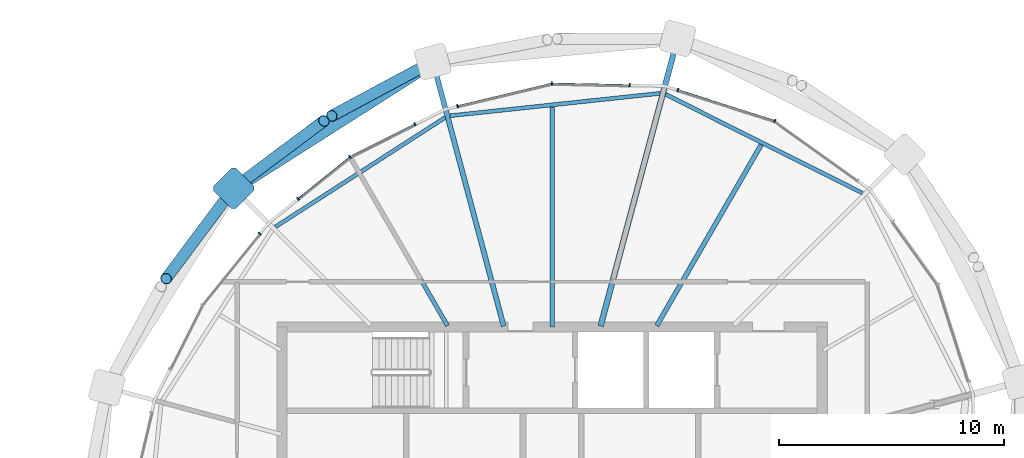
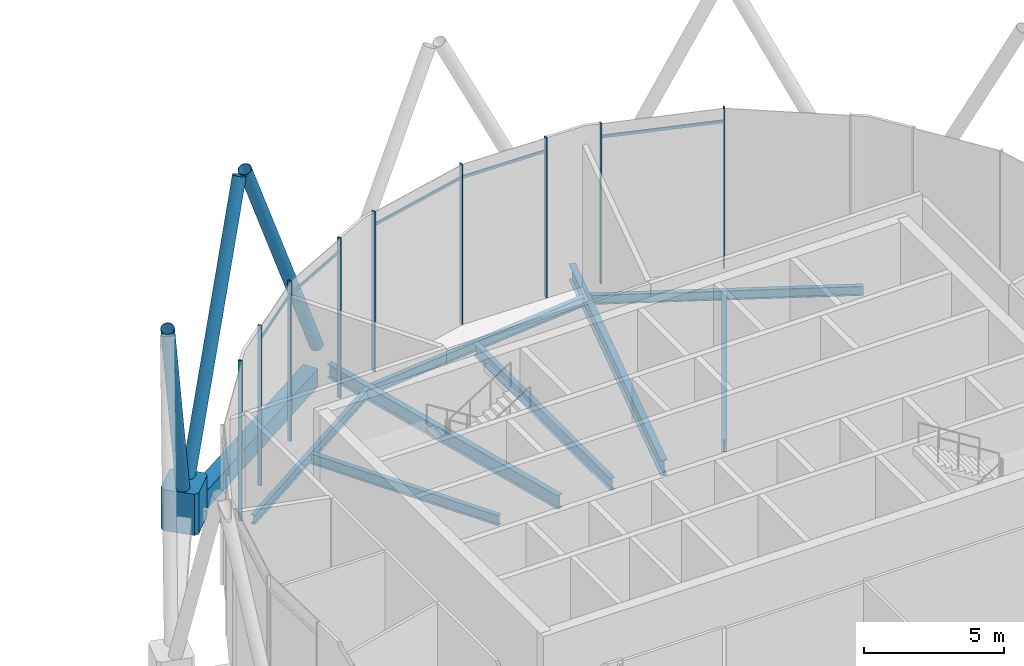
# One storey, part 14 of 28: 18 members, 9 beams, 1 element without a shape of its own.
"""IFC4 building model written with IfcOpenShell, lengths in metres."""

import ifcopenshell
import ifcopenshell.guid

model = None  # the IFC model being written
_history = None  # IfcOwnerHistory: only IFC2X3 demands one
_inside = {}  # id of a spatial element -> (the spatial element, [elements in it])
_under = {}  # id of a project, library or spatial element -> (it, [spatial elements below it])
_declared = {}  # id of a project -> (the project, [libraries it declares])
_typed = {}  # id of a type object -> (the type object, [elements of that type])
_made_of = {}  # id of a material, layer set ... -> (it, [elements and type objects made of it])


def new_model(schema):
    """Start an empty IFC model of exactly this schema.

    Asked for "IFC4X3", IfcOpenShell would pick the latest addendum, in which some entities
    have other attributes; the version numbers below select the first issue.
    IFC2X3 requires an IfcOwnerHistory on every rooted entity: one is made here for all.
    """
    global model, _history
    if schema == "IFC4X3":
        model = ifcopenshell.file(schema_version=(4, 3, 0, 0))
    else:
        model = ifcopenshell.file(schema=schema)
    _inside.clear()
    _under.clear()
    _declared.clear()
    _typed.clear()
    _made_of.clear()
    _history = None
    if model.schema == "IFC2X3":
        org = make("IfcOrganization", Name="unknown")
        user = make(
            "IfcPersonAndOrganization",
            ThePerson=make("IfcPerson", FamilyName="unknown"),
            TheOrganization=org,
        )
        app = make(
            "IfcApplication",
            ApplicationDeveloper=org,
            Version="unknown",
            ApplicationFullName="unknown",
            ApplicationIdentifier="unknown",
        )
        _history = make(
            "IfcOwnerHistory",
            OwningUser=user,
            OwningApplication=app,
            ChangeAction="ADDED",
            CreationDate=0,
        )
    return model


def make(cls, **values):
    """One entity of the class cls with the attributes given. An attribute that is None is left unset."""
    return model.create_entity(
        cls, **{name: value for name, value in values.items() if value is not None}
    )


def rooted(cls, **values):
    """An entity with a GlobalId (a new one), such as an element, a storey or a relation."""
    return make(cls, GlobalId=ifcopenshell.guid.new(), OwnerHistory=_history, **values)


def si_unit(unit_type, name, prefix=None):
    """IfcSIUnit, for example si_unit("LENGTHUNIT", "METRE", prefix="MILLI")."""
    return make("IfcSIUnit", UnitType=unit_type, Prefix=prefix, Name=name)


def assignment(units):
    """IfcUnitAssignment: the units of a project."""
    return None if units is None else make("IfcUnitAssignment", Units=units)


def point(xyz):
    """IfcCartesianPoint."""
    return None if xyz is None else make("IfcCartesianPoint", Coordinates=xyz)


def direction(xyz):
    """IfcDirection."""
    return None if xyz is None else make("IfcDirection", DirectionRatios=xyz)


def frame(location, z_axis=None, x_axis=None):
    """IfcAxis2Placement3D, a coordinate frame: its origin and axes. An axis left out is left unset."""
    return make(
        "IfcAxis2Placement3D",
        Location=point(location),
        Axis=direction(z_axis),
        RefDirection=direction(x_axis),
    )


def frame_2d(location, x_axis=None):
    """IfcAxis2Placement2D, a coordinate frame in the plane: its origin and x axis."""
    return make(
        "IfcAxis2Placement2D", Location=point(location), RefDirection=direction(x_axis)
    )


def origin():
    """The frame at (0, 0, 0) with its axes left unset."""
    return frame((0.0, 0.0, 0.0))


def origin_2d():
    """The frame at (0, 0) in the plane with its x axis left unset."""
    return frame_2d((0.0, 0.0))


def place(relative_to, where):
    """IfcLocalPlacement: puts the frame where relative to a parent placement (None: the world)."""
    return make(
        "IfcLocalPlacement", PlacementRelTo=relative_to, RelativePlacement=where
    )


def context(
    kind, dimensions, precision=None, world=None, true_north=None, identifier=None
):
    """IfcGeometricRepresentationContext, for example the 3D "Model" context."""
    return make(
        "IfcGeometricRepresentationContext",
        ContextIdentifier=identifier,
        ContextType=kind,
        CoordinateSpaceDimension=dimensions,
        Precision=precision,
        WorldCoordinateSystem=world,
        TrueNorth=true_north,
    )


def subcontext(parent, identifier, kind, view, scale=None):
    """IfcGeometricRepresentationSubContext, for example "Body" below "Model"."""
    return make(
        "IfcGeometricRepresentationSubContext",
        ContextIdentifier=identifier,
        ContextType=kind,
        ParentContext=parent,
        TargetScale=scale,
        TargetView=view,
    )


def project(units=None, contexts=None):
    """IfcProject with its units and contexts."""
    return rooted(
        "IfcProject",
        Name="project",
        RepresentationContexts=contexts,
        UnitsInContext=assignment(units),
    )


def spatial(cls, under=None, at=None, **own):
    """A site, building, storey or space (cls), placed at a placement, below another one or the project."""
    s = rooted(cls, ObjectPlacement=at, **own)
    if under is not None:
        _under.setdefault(under.id(), (under, []))[1].append(s)
    return s


def polyline(points):
    """IfcPolyline through the points."""
    return make("IfcPolyline", Points=[point(p) for p in points])


def profile(cls, at=None, kind="AREA", **sizes):
    """A parametric profile (cls). Its sizes go by their IFC names, for example OverallWidth=200.0."""
    return make(cls, ProfileType=kind, Position=at, **sizes)


def rectangle(**sizes):
    """IfcRectangleProfileDef."""
    return profile("IfcRectangleProfileDef", **sizes)


def hollow_rectangle(**sizes):
    """IfcRectangleHollowProfileDef."""
    return profile("IfcRectangleHollowProfileDef", **sizes)


def hollow_circle(**sizes):
    """IfcCircleHollowProfileDef."""
    return profile("IfcCircleHollowProfileDef", **sizes)


def i_section(**sizes):
    """IfcIShapeProfileDef."""
    return profile("IfcIShapeProfileDef", **sizes)


def outline(outer, holes=None, kind="AREA"):
    """IfcArbitraryClosedProfileDef: a profile drawn as a closed curve; with holes, ...WithVoids."""
    if holes is None:
        return make("IfcArbitraryClosedProfileDef", ProfileType=kind, OuterCurve=outer)
    return make(
        "IfcArbitraryProfileDefWithVoids",
        ProfileType=kind,
        OuterCurve=outer,
        InnerCurves=holes,
    )


def extrude(swept, where, along, depth):
    """IfcExtrudedAreaSolid: the profile swept, set in the frame where, extruded along a direction by depth."""
    return make(
        "IfcExtrudedAreaSolid",
        SweptArea=swept,
        Position=where,
        ExtrudedDirection=direction(along),
        Depth=depth,
    )


def shape(context_of_items, identifier, shape_type, items):
    """IfcShapeRepresentation: the items that make up one representation, for example the "Body"."""
    return make(
        "IfcShapeRepresentation",
        ContextOfItems=context_of_items,
        RepresentationIdentifier=identifier,
        RepresentationType=shape_type,
        Items=items,
    )


def material(Name=None, Category=None):
    """IfcMaterial."""
    return make("IfcMaterial", Name=Name, Category=Category)


def material_profile(
    of_material, cross_section, Name=None, Category=None, Priority=None
):
    """IfcMaterialProfile: a cross section and its material."""
    return make(
        "IfcMaterialProfile",
        Name=Name,
        Material=of_material,
        Profile=cross_section,
        Priority=Priority,
        Category=Category,
    )


def profile_set(profiles, Name=None, composite=None):
    """IfcMaterialProfileSet."""
    return make(
        "IfcMaterialProfileSet",
        Name=Name,
        MaterialProfiles=profiles,
        CompositeProfile=composite,
    )


def made_of(thing, what):
    """Note that an element or type object is made of a material, layer set ...; save() writes the relation."""
    if what is not None:
        _made_of.setdefault(what.id(), (what, []))[1].append(thing)
    return thing


def type_object(cls, material=None, **own):
    """A type object (cls), such as IfcWallType, which elements share."""
    return made_of(rooted(cls, **own), material)


def element(
    cls,
    number,
    at=None,
    inside=None,
    cuts=None,
    type_object=None,
    material=None,
    context=None,
    identifier="Body",
    shape_type=None,
    held_by="IfcProductDefinitionShape",
    body=None,
    shapes=None,
    **own,
):
    """One element of the class cls, such as IfcWall. Its Tag is "e" and its number.

    at: its placement. inside: the storey or other place that contains it. cuts: it is an
    opening in that element (IfcRelVoidsElement). A single representation is given by context,
    identifier, shape_type and body (its items); several are given by shapes. held_by: the class
    of the entity that holds the representations. save() writes the other relations.
    """
    e = rooted(cls, Tag="e%d" % number, ObjectPlacement=at, **own)
    if body is not None:
        shapes = [shape(context, identifier, shape_type, body)]
    if shapes is not None:
        e.Representation = make(held_by, Representations=shapes)
    if inside is not None:
        _inside.setdefault(inside.id(), (inside, []))[1].append(e)
    if cuts is not None:
        rooted(
            "IfcRelVoidsElement", RelatingBuildingElement=cuts, RelatedOpeningElement=e
        )
    if type_object is not None:
        _typed.setdefault(type_object.id(), (type_object, []))[1].append(e)
    return made_of(e, material)


def aggregate(whole, parts):
    """IfcRelAggregates: a whole, such as a stair, and the parts it consists of."""
    return rooted("IfcRelAggregates", RelatingObject=whole, RelatedObjects=parts)


def save(model, path):
    """Write the relations noted so far, then the file.

    IfcRelAggregates (storeys below a building ...), IfcRelContainedInSpatialStructure (elements
    in a storey), IfcRelDefinesByType, IfcRelAssociatesMaterial and IfcRelDeclares: one each for
    every whole, place, type object, material and project.
    """
    for whole, parts in _under.values():
        aggregate(whole, parts)
    for where, things in _inside.values():
        rooted(
            "IfcRelContainedInSpatialStructure",
            RelatedElements=things,
            RelatingStructure=where,
        )
    for kind, things in _typed.values():
        rooted("IfcRelDefinesByType", RelatedObjects=things, RelatingType=kind)
    for what, things in _made_of.values():
        rooted("IfcRelAssociatesMaterial", RelatedObjects=things, RelatingMaterial=what)
    for by, libraries in _declared.values():
        rooted("IfcRelDeclares", RelatingContext=by, RelatedDefinitions=libraries)
    model.write(path)


model = new_model("IFC4")

# Units and contexts
model_context = context("Model", 3, precision=1e-05, world=origin(), true_north=direction((0.0, 1.0)))
body_context = subcontext(model_context, "Body", "Model", "MODEL_VIEW")
ifc_project = project(units=[si_unit("LENGTHUNIT", "METRE"), si_unit("AREAUNIT", "SQUARE_METRE"), si_unit("VOLUMEUNIT", "CUBIC_METRE"), si_unit("PLANEANGLEUNIT", "RADIAN"), si_unit("MASSUNIT", "GRAM", prefix="KILO")], contexts=[model_context])

# Site, building, storey
site_placement = place(None, origin())
site = spatial("IfcSite", under=ifc_project, at=site_placement, CompositionType="ELEMENT")
building_placement = place(site_placement, origin())
building = spatial("IfcBuilding", under=site, at=building_placement, Name="Rimbun Link Towers", CompositionType="ELEMENT")
storey_placement = place(building_placement, frame((0.0, 0.0, 256.10009765625)))
storey = spatial("IfcBuildingStorey", under=building, at=storey_placement, Name="L63", CompositionType="ELEMENT", Elevation=256.10009765625)

# Curtain wall, members
ifc_material_1 = material(Name="Aluminium 6063-T6 and low-iron glass", Category="aluminium")
curtain_wall_type = type_object("IfcCurtainWallType", Name="CW5 full height lobby wall", PredefinedType="NOTDEFINED", material=ifc_material_1)
curtain_wall_placement = place(storey_placement, origin())
curtain_wall = element("IfcCurtainWall", 1, at=curtain_wall_placement, inside=storey, type_object=curtain_wall_type, Name="CW5 L63 T2", PredefinedType="NOTDEFINED")
ifc_material_2 = material(Name="Aluminium 6063-T6", Category="aluminium")
ifc_material_profile_1 = material_profile(ifc_material_2, rectangle(XDim=0.14990234375, YDim=0.06005859375, at=origin_2d()), Name="MULLION 60X150")
ifc_profile_set_1 = profile_set([ifc_material_profile_1], Name="Aluminium 6063-T6")
member_type_1 = type_object("IfcMemberType", Name="CW5 mullion 60X150", PredefinedType="MULLION", material=ifc_profile_set_1)
member_1_placement = place(storey_placement, frame((41.64794921875, 17.152587890625, 0.0), z_axis=(0.0, 0.0, 1.0), x_axis=(0.448575303316, 0.893745040408, 0.0)))
member_1 = element("IfcMember", 2, at=member_1_placement, type_object=member_type_1, Name="CW5 mullion", PredefinedType="MULLION", context=body_context, shape_type="SweptSolid", body=[
    extrude(rectangle(XDim=0.14990234375, YDim=0.06005859375, at=origin_2d()), origin(), (0.0, 0.0, 1.0), 7.0),
])
member_2_placement = place(storey_placement, frame((37.337646484375, 18.5244140625, 0.0), z_axis=(0.0, 0.0, 1.0), x_axis=(0.303074456046, 0.952966879851, 0.0)))
member_2 = element("IfcMember", 3, at=member_2_placement, type_object=member_type_1, Name="CW5 mullion", PredefinedType="MULLION", context=body_context, shape_type="SweptSolid", body=[
    extrude(rectangle(XDim=0.14990234375, YDim=0.06005859375, at=origin_2d()), origin(), (0.0, 0.0, 1.0), 7.0),
])
member_3_placement = place(storey_placement, frame((31.741943359375, 18.814453125, 0.0), z_axis=(0.0, 0.0, 1.0), x_axis=(-0.106641931315, 0.994297489932, 0.0)))
member_3 = element("IfcMember", 4, at=member_3_placement, type_object=member_type_1, Name="CW5 mullion", PredefinedType="MULLION", context=body_context, shape_type="SweptSolid", body=[
    extrude(rectangle(XDim=0.14990234375, YDim=0.06005859375, at=origin_2d()), origin(), (0.0, 0.0, 1.0), 7.0),
])
member_4_placement = place(storey_placement, frame((35.195068359375, 18.742431640625, 0.0), z_axis=(0.0, 0.0, 1.0), x_axis=(0.021064400542, 0.9997781209, 0.0)))
member_4 = element("IfcMember", 5, at=member_4_placement, type_object=member_type_1, Name="CW5 mullion", PredefinedType="MULLION", context=body_context, shape_type="SweptSolid", body=[
    extrude(rectangle(XDim=0.14990234375, YDim=0.06005859375, at=origin_2d()), origin(), (0.0, 0.0, 1.0), 7.0),
])
member_5_placement = place(storey_placement, frame((27.548583984375, 17.812255859375, 0.0), z_axis=(0.0, 0.0, 1.0), x_axis=(-0.232605846557, 0.972571087452, 0.0)))
member_5 = element("IfcMember", 6, at=member_5_placement, type_object=member_type_1, Name="CW5 mullion", PredefinedType="MULLION", context=body_context, shape_type="SweptSolid", body=[
    extrude(rectangle(XDim=0.14990234375, YDim=0.06005859375, at=origin_2d()), origin(), (0.0, 0.0, 1.0), 7.0),
])
member_6_placement = place(storey_placement, frame((22.766357421875, 15.552978515625, 0.0), z_axis=(0.0, 0.0, 1.0), x_axis=(-0.542095907354, 0.840316623202, 0.0)))
member_6 = element("IfcMember", 7, at=member_6_placement, type_object=member_type_1, Name="CW5 mullion", PredefinedType="MULLION", context=body_context, shape_type="SweptSolid", body=[
    extrude(rectangle(XDim=0.14990234375, YDim=0.06005859375, at=origin_2d()), origin(), (0.0, 0.0, 1.0), 7.0),
])
member_7_placement = place(storey_placement, frame((25.656982421875, 17.005126953125, 0.0), z_axis=(0.0, 0.0, 1.0), x_axis=(-0.448786851491, 0.893638831927, 0.0)))
member_7 = element("IfcMember", 8, at=member_7_placement, type_object=member_type_1, Name="CW5 mullion", PredefinedType="MULLION", context=body_context, shape_type="SweptSolid", body=[
    extrude(rectangle(XDim=0.14990234375, YDim=0.06005859375, at=origin_2d()), origin(), (0.0, 0.0, 1.0), 7.0),
])
member_8_placement = place(storey_placement, frame((20.462890625, 13.689208984375, 0.0), z_axis=(0.0, 0.0, 1.0), x_axis=(-0.629143843402, 0.777288893726, 0.0)))
member_8 = element("IfcMember", 9, at=member_8_placement, type_object=member_type_1, Name="CW5 mullion", PredefinedType="MULLION", context=body_context, shape_type="SweptSolid", body=[
    extrude(rectangle(XDim=0.14990234375, YDim=0.06005859375, at=origin_2d()), origin(), (0.0, 0.0, 1.0), 7.0),
])
member_9_placement = place(storey_placement, frame((18.7529296875, 12.14208984375, 0.0), z_axis=(0.0, 0.0, 1.0), x_axis=(-0.777288893726, 0.629143843402, 0.0)))
member_9 = element("IfcMember", 10, at=member_9_placement, type_object=member_type_1, Name="CW5 mullion", PredefinedType="MULLION", context=body_context, shape_type="SweptSolid", body=[
    extrude(rectangle(XDim=0.14990234375, YDim=0.06005859375, at=origin_2d()), origin(), (0.0, 0.0, 1.0), 7.0),
])
ifc_material_3 = material(Name="Aluminium 6063-T6", Category="aluminium")
ifc_material_profile_2 = material_profile(ifc_material_3, rectangle(XDim=0.06005859375, YDim=0.1201171875, at=origin_2d()), Name="TRANSOM 60X120")
ifc_profile_set_2 = profile_set([ifc_material_profile_2], Name="Aluminium 6063-T6")
member_type_2 = type_object("IfcMemberType", Name="CW5 transom 60X120", PredefinedType="USERDEFINED", material=ifc_profile_set_2)
member_10_placement = place(storey_placement, frame((37.3623046875, 18.5029296875, 6.39990234375), z_axis=(0.952953146217, -0.30311763577, 0.0), x_axis=(0.30311763577, 0.952953146217, 0.0)))
member_10 = element("IfcMember", 11, at=member_10_placement, type_object=member_type_2, Name="CW5 transom", ObjectType="TRANSOM", PredefinedType="USERDEFINED", context=body_context, shape_type="SweptSolid", body=[
    extrude(rectangle(XDim=0.06005859375, YDim=0.1201171875, at=origin_2d()), origin(), (0.0, 0.0, 1.0), 4.45166015625),
])
member_11_placement = place(storey_placement, frame((31.78125, 18.80126953125, 6.39990234375), z_axis=(0.999778115301, -0.021064666258, 0.0), x_axis=(0.021064666258, 0.999778115301, 0.0)))
member_11 = element("IfcMember", 12, at=member_11_placement, type_object=member_type_2, Name="CW5 transom", ObjectType="TRANSOM", PredefinedType="USERDEFINED", context=body_context, shape_type="SweptSolid", body=[
    extrude(rectangle(XDim=0.06005859375, YDim=0.1201171875, at=origin_2d()), origin(), (0.0, 0.0, 1.0), 3.38427734375),
])
member_12_placement = place(storey_placement, frame((27.580810546875, 17.806396484375, 6.39990234375), z_axis=(0.972563606746, 0.232637122646, 0.0), x_axis=(-0.232637122646, 0.972563606746, 0.0)))
member_12 = element("IfcMember", 13, at=member_12_placement, type_object=member_type_2, Name="CW5 transom", ObjectType="TRANSOM", PredefinedType="USERDEFINED", context=body_context, shape_type="SweptSolid", body=[
    extrude(rectangle(XDim=0.06005859375, YDim=0.1201171875, at=origin_2d()), origin(), (0.0, 0.0, 1.0), 4.241943359375),
])
member_13_placement = place(storey_placement, frame((22.805908203125, 15.558837890625, 6.39990234375), z_axis=(0.893654938191, 0.448754778745, 0.0), x_axis=(-0.448754778745, 0.893654938191, 0.0)))
member_13 = element("IfcMember", 14, at=member_13_placement, type_object=member_type_2, Name="CW5 transom", ObjectType="TRANSOM", PredefinedType="USERDEFINED", context=body_context, shape_type="SweptSolid", body=[
    extrude(rectangle(XDim=0.06005859375, YDim=0.1201171875, at=origin_2d()), origin(), (0.0, 0.0, 1.0), 3.166748046875),
])
member_14_placement = place(storey_placement, frame((20.494384765625, 13.697998046875, 6.39990234375), z_axis=(0.777301821514, 0.629127871161, 0.0), x_axis=(-0.629127871161, 0.777301821514, 0.0)))
member_14 = element("IfcMember", 15, at=member_14_placement, type_object=member_type_2, Name="CW5 transom", ObjectType="TRANSOM", PredefinedType="USERDEFINED", context=body_context, shape_type="SweptSolid", body=[
    extrude(rectangle(XDim=0.06005859375, YDim=0.1201171875, at=origin_2d()), origin(), (0.0, 0.0, 1.0), 2.89501953125),
])
aggregate(curtain_wall, [member_1, member_2, member_3, member_4, member_5, member_6, member_7, member_8, member_9, member_10, member_11, member_12, member_13, member_14])

# Members
ifc_material_4 = material(Name="Steel S355J2H", Category="steel")
ifc_material_profile_3 = material_profile(ifc_material_4, hollow_circle(Radius=0.25390625, WallThickness=0.02001953125, at=origin_2d()), Name="Diagrid diagonal CHS 508x20")
ifc_profile_set_3 = profile_set([ifc_material_profile_3], Name="Steel S355J2H")
member_type_3 = type_object("IfcMemberType", Name="Diagrid diagonal CHS 508x20", PredefinedType="BRACE", material=ifc_profile_set_3)
member_15_placement = place(storey_placement, frame((26.264404296875, 19.685546875, 0.453857421875), z_axis=(-0.368901770359, -0.198275544432, 0.908073946497), x_axis=(0.473426149575, -0.880833514859, 0.0)))
element("IfcMember", 16, at=member_15_placement, inside=storey, type_object=member_type_3, Name="Diagrid diagonal T2 L63-L65 04b", PredefinedType="BRACE", context=body_context, shape_type="SweptSolid", body=[
    extrude(hollow_circle(Radius=0.25390625, WallThickness=0.02001953125, at=origin_2d()), origin(), (0.0, 0.0, 1.0), 11.664306640625),
])
for number, where, z_axis, x_axis, name in (
    (17, (17.76318359375, 14.27587890625, 0.455322265625), (0.330964194189, 0.247189079375, 0.910692187955), (-0.598396701888, 0.801199967031, 0.0), "Diagrid diagonal T2 L63-L65 06a"),
    (18, (17.47412109375, 13.98681640625, 0.455322265625), (-0.247189079375, -0.330964194189, 0.910692187955), (0.801199967031, -0.598396701888, 0.0), "Diagrid diagonal T2 L63-L65 06b"),
):
    element("IfcMember", number, at=place(storey_placement, frame(where, z_axis=z_axis, x_axis=x_axis)), inside=storey, type_object=member_type_3, Name=name, PredefinedType="BRACE", context=body_context, shape_type="SweptSolid", body=[
        extrude(hollow_circle(Radius=0.25390625, WallThickness=0.02001953125, at=origin_2d()), origin(), (0.0, 0.0, 1.0), 11.6279296875),
    ])
ifc_material_5 = material(Name="Cast steel G20Mn5+QT, Rp0.2 300 MPa", Category="steel")
ifc_material_profile_4 = material_profile(ifc_material_5, outline(polyline([(0.699951171875, -0.570068359375), (0.699951171875, 0.570068359375), (0.570068359375, 0.699951171875), (-0.570068359375, 0.699951171875), (-0.699951171875, 0.570068359375), (-0.699951171875, -0.570068359375), (-0.570068359375, -0.699951171875), (0.570068359375, -0.699951171875), (0.699951171875, -0.570068359375)])), Name="NODE 1400x1400")
ifc_profile_set_4 = profile_set([ifc_material_profile_4], Name="Cast steel G20Mn5+QT, Rp0.2 300 MPa")
member_type_4 = type_object("IfcMemberType", Name="Diagrid node cast 1400", PredefinedType="USERDEFINED", material=ifc_profile_set_4)
member_16_placement = place(storey_placement, frame((17.59765625, 14.15234375, -0.900146484375), z_axis=(0.0, 0.0, 1.0), x_axis=(-0.707106781187, 0.707106781187, 0.0)))
element("IfcMember", 19, at=member_16_placement, inside=storey, type_object=member_type_4, Name="Diagrid node L63 06", ObjectType="Diagrid node", PredefinedType="USERDEFINED", context=body_context, shape_type="SweptSolid", body=[
    extrude(outline(polyline([(0.699951171875, -0.570068359375), (0.699951171875, 0.570068359375), (0.570068359375, 0.699951171875), (-0.570068359375, 0.699951171875), (-0.699951171875, 0.570068359375), (-0.699951171875, -0.570068359375), (-0.570068359375, -0.699951171875), (0.570068359375, -0.699951171875), (0.699951171875, -0.570068359375)])), origin(), (0.0, 0.0, 1.0), 1.800048828125),
])

# Beams
ifc_material_6 = material(Name="Steel S355J2", Category="steel")
ifc_material_profile_5 = material_profile(ifc_material_6, hollow_rectangle(XDim=0.60009765625, YDim=0.800048828125, WallThickness=0.0400390625, at=origin_2d()), Name="Exoskeleton ring girder BOX 600x800x40")
ifc_profile_set_5 = profile_set([ifc_material_profile_5], Name="Steel S355J2")
beam_type_1 = type_object("IfcBeamType", Name="Exoskeleton ring girder BOX 600x800x40", PredefinedType="BEAM", material=ifc_profile_set_5)
beam_1_placement = place(storey_placement, frame((25.858154296875, 19.40869140625, -0.56005859375), z_axis=(-0.843673651207, -0.536856377683, 0.0), x_axis=(0.536856377683, -0.843673651207, 0.0)))
element("IfcBeam", 20, at=beam_1_placement, inside=storey, type_object=beam_type_1, Name="Exoskeleton ring girder L63 02", PredefinedType="BEAM", context=body_context, shape_type="SweptSolid", body=[
    extrude(hollow_rectangle(XDim=0.60009765625, YDim=0.800048828125, WallThickness=0.0400390625, at=origin_2d()), origin(), (0.0, 0.0, 1.0), 9.091064453125),
])
ifc_material_7 = material(Name="Steel S355J2", Category="steel")
ifc_material_profile_6 = material_profile(ifc_material_7, i_section(OverallWidth=0.177978515625, OverallDepth=0.406494140625, WebThickness=0.0078125, FlangeThickness=0.0126953125, at=origin_2d()), Name="UB 406x178x60")
ifc_profile_set_6 = profile_set([ifc_material_profile_6], Name="Steel S355J2")
beam_type_2 = type_object("IfcBeamType", Name="UB 406x178x60", PredefinedType="BEAM", material=ifc_profile_set_6)
beam_2_placement = place(storey_placement, frame((45.5400390625, 13.939208984375, -0.38330078125), z_axis=(-0.893822627144, 0.448420685524, 0.0), x_axis=(-0.448420685524, -0.893822627144, 0.0)))
element("IfcBeam", 21, at=beam_2_placement, inside=storey, type_object=beam_type_2, Name="Edge beam T2 L63 00-02", PredefinedType="BEAM", context=body_context, shape_type="SweptSolid", body=[
    extrude(i_section(OverallWidth=0.177978515625, OverallDepth=0.406494140625, WebThickness=0.0078125, FlangeThickness=0.0126953125, at=origin_2d()), origin(), (0.0, 0.0, 1.0), 9.785888671875),
])
beam_3_placement = place(storey_placement, frame((36.540283203125, 18.37158203125, -0.38330078125), z_axis=(-0.99436278667, -0.106031356145, 0.0), x_axis=(0.106031356145, -0.99436278667, 0.0)))
element("IfcBeam", 22, at=beam_3_placement, inside=storey, type_object=beam_type_2, Name="Edge beam T2 L63 02-04", PredefinedType="BEAM", context=body_context, shape_type="SweptSolid", body=[
    extrude(i_section(OverallWidth=0.177978515625, OverallDepth=0.406494140625, WebThickness=0.0078125, FlangeThickness=0.0126953125, at=origin_2d()), origin(), (0.0, 0.0, 1.0), 9.380615234375),
])
beam_4_placement = place(storey_placement, frame((26.995849609375, 17.29931640625, -0.38330078125), z_axis=(-0.840621386883, -0.541623193664, 0.0), x_axis=(0.541623193664, -0.840621386883, 0.0)))
element("IfcBeam", 23, at=beam_4_placement, inside=storey, type_object=beam_type_2, Name="Edge beam T2 L63 04-06", PredefinedType="BEAM", context=body_context, shape_type="SweptSolid", body=[
    extrude(i_section(OverallWidth=0.177978515625, OverallDepth=0.406494140625, WebThickness=0.0078125, FlangeThickness=0.0126953125, at=origin_2d()), origin(), (0.0, 0.0, 1.0), 8.977783203125),
])
ifc_material_8 = material(Name="Steel S355J2", Category="steel")
ifc_material_profile_7 = material_profile(ifc_material_8, i_section(OverallWidth=0.18994140625, OverallDepth=0.453369140625, WebThickness=0.008544921875, FlangeThickness=0.0126953125, at=origin_2d()), Name="UB 457x191x67")
ifc_profile_set_7 = profile_set([ifc_material_profile_7], Name="Steel S355J2")
beam_type_3 = type_object("IfcBeamType", Name="UB 457x191x67", PredefinedType="BEAM", material=ifc_profile_set_7)
beam_5_placement = place(storey_placement, frame((27.103271484375, 8.04833984375, -0.40673828125), z_axis=(-0.499985914114, 0.866033536122, 0.0), x_axis=(-0.866033536122, -0.499985914114, 0.0)))
element("IfcBeam", 24, at=beam_5_placement, inside=storey, type_object=beam_type_3, Name="Radial beam T2 L63 05", PredefinedType="BEAM", context=body_context, shape_type="SweptSolid", body=[
    extrude(i_section(OverallWidth=0.18994140625, OverallDepth=0.453369140625, WebThickness=0.008544921875, FlangeThickness=0.0126953125, at=origin_2d()), origin(), (0.0, 0.0, 1.0), 7.754150390625),
])
ifc_material_9 = material(Name="Steel S355J2", Category="steel")
ifc_material_profile_8 = material_profile(ifc_material_9, i_section(OverallWidth=0.209228515625, OverallDepth=0.533203125, WebThickness=0.010009765625, FlangeThickness=0.015625, at=origin_2d()), Name="UB 533x210x92")
ifc_profile_set_8 = profile_set([ifc_material_profile_8], Name="Steel S355J2")
beam_type_4 = type_object("IfcBeamType", Name="UB 533x210x92", PredefinedType="BEAM", material=ifc_profile_set_8)
beam_6_placement = place(storey_placement, frame((36.3994140625, 8.05322265625, -0.446533203125), z_axis=(0.500001619514, 0.866024468756, 0.0), x_axis=(-0.866024468756, 0.500001619514, 0.0)))
element("IfcBeam", 25, at=beam_6_placement, inside=storey, type_object=beam_type_4, Name="Radial beam T2 L63 01", PredefinedType="BEAM", context=body_context, shape_type="SweptSolid", body=[
    extrude(i_section(OverallWidth=0.209228515625, OverallDepth=0.533203125, WebThickness=0.010009765625, FlangeThickness=0.015625, at=origin_2d()), origin(), (0.0, 0.0, 1.0), 9.2861328125),
])
beam_7_placement = place(storey_placement, frame((31.75, 8.0009765625, -0.446533203125), z_axis=(0.0, 1.0, 0.0), x_axis=(-1.0, 0.0, 0.0)))
element("IfcBeam", 26, at=beam_7_placement, inside=storey, type_object=beam_type_4, Name="Radial beam T2 L63 03", PredefinedType="BEAM", context=body_context, shape_type="SweptSolid", body=[
    extrude(i_section(OverallWidth=0.209228515625, OverallDepth=0.533203125, WebThickness=0.010009765625, FlangeThickness=0.015625, at=origin_2d()), origin(), (0.0, 0.0, 1.0), 9.769287109375),
])
ifc_material_10 = material(Name="Steel S355J2", Category="steel")
ifc_material_profile_9 = material_profile(ifc_material_10, i_section(OverallWidth=0.2275390625, OverallDepth=0.6025390625, WebThickness=0.010498046875, FlangeThickness=0.014892578125, at=origin_2d()), Name="UB 610x229x101")
ifc_profile_set_9 = profile_set([ifc_material_profile_9], Name="Steel S355J2")
beam_type_5 = type_object("IfcBeamType", Name="UB 610x229x101", PredefinedType="BEAM", material=ifc_profile_set_9)
beam_8_placement = place(storey_placement, frame((29.59814453125, 8.030517578125, -0.4814453125), z_axis=(-0.258816264917, 0.965926571233, 0.0), x_axis=(-0.965926571233, -0.258816264917, 0.0)))
element("IfcBeam", 27, at=beam_8_placement, inside=storey, type_object=beam_type_5, Name="Radial beam T2 L63 04", PredefinedType="BEAM", context=body_context, shape_type="SweptSolid", body=[
    extrude(i_section(OverallWidth=0.2275390625, OverallDepth=0.6025390625, WebThickness=0.010498046875, FlangeThickness=0.014892578125, at=origin_2d()), origin(), (0.0, 0.0, 1.0), 11.668701171875),
])
ifc_material_11 = material(Name="Steel S355J2", Category="steel")
ifc_material_profile_10 = material_profile(ifc_material_11, i_section(OverallWidth=0.253662109375, OverallDepth=0.68359375, WebThickness=0.012451171875, FlangeThickness=0.01904296875, at=origin_2d()), Name="UB 686x254x140")
ifc_profile_set_10 = profile_set([ifc_material_profile_10], Name="Steel S355J2")
beam_type_6 = type_object("IfcBeamType", Name="UB 686x254x140", PredefinedType="BEAM", material=ifc_profile_set_10)
beam_9_placement = place(storey_placement, frame((33.902587890625, 8.03369140625, -0.521728515625), z_axis=(0.258820797726, 0.965925356673, 0.0), x_axis=(-0.965925356673, 0.258820797726, 0.0)))
element("IfcBeam", 28, at=beam_9_placement, inside=storey, type_object=beam_type_6, Name="Radial beam T2 L63 02", PredefinedType="BEAM", context=body_context, shape_type="SweptSolid", body=[
    extrude(i_section(OverallWidth=0.253662109375, OverallDepth=0.68359375, WebThickness=0.012451171875, FlangeThickness=0.01904296875, at=origin_2d()), origin(), (0.0, 0.0, 1.0), 12.724853515625),
])

save(model, "model.ifc")
